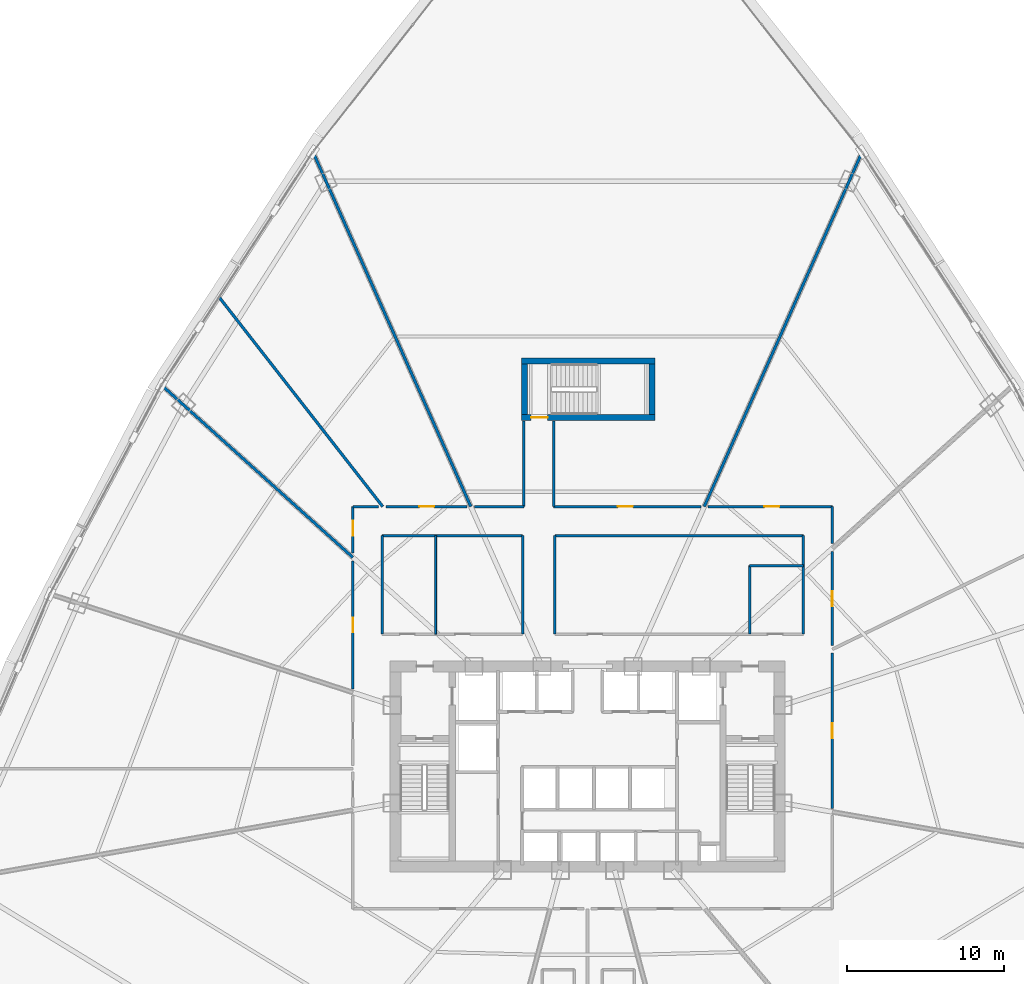
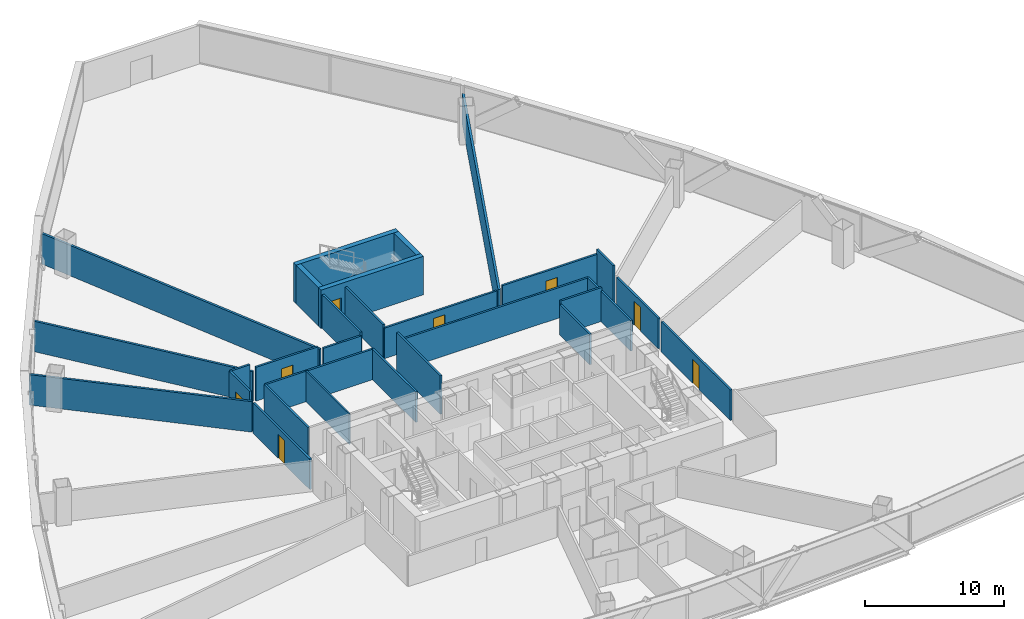
# One storey, part 32 of 38: 29 walls, 8 doors, 8 openings.
"""IFC4 building model written with IfcOpenShell, lengths in metres."""

from ifc_helpers import new_model, si_unit, direction, frame, frame_2d, origin, origin_with_axes, place, context, subcontext, project, spatial, rectangle, extrude, source, transform, mapped, material, layer, layer_set, type_object, element, fill, save


model = new_model("IFC4")

# Units and contexts
model_context = context("Model", 3, precision=1e-05, world=origin(), true_north=direction((0.0, 1.0)))
body_context = subcontext(model_context, "Body", "Model", "MODEL_VIEW")
ifc_project = project(units=[si_unit("LENGTHUNIT", "METRE"), si_unit("AREAUNIT", "SQUARE_METRE"), si_unit("VOLUMEUNIT", "CUBIC_METRE"), si_unit("PLANEANGLEUNIT", "RADIAN"), si_unit("MASSUNIT", "GRAM", prefix="KILO"), si_unit("THERMODYNAMICTEMPERATUREUNIT", "KELVIN"), si_unit("POWERUNIT", "WATT")], contexts=[model_context])

# Site, building, storey
site_placement = place(None, origin())
site = spatial("IfcSite", under=ifc_project, at=site_placement, CompositionType="ELEMENT")
building_placement = place(site_placement, origin())
building = spatial("IfcBuilding", under=site, at=building_placement, Name="Yunzhuo Pagoda Commons", CompositionType="ELEMENT")
storey_placement = place(building_placement, frame((0.0, 0.0, 34.030029296875)))
storey = spatial("IfcBuildingStorey", under=building, at=storey_placement, Name="L08", CompositionType="ELEMENT", Elevation=34.030029296875)

# Walls
ifc_material_1 = material(Name="Gypsum plasterboard on acoustic stud")
ifc_layer_1 = layer(ifc_material_1, 0.159912109375)
ifc_layer_set_1 = layer_set([ifc_layer_1], Name="Gypsum plasterboard on acoustic stud")
wall_type_1 = type_object("IfcWallType", Name="W-COR1 Tower Rated Corridor Wall 160", PredefinedType="PARTITIONING", material=ifc_layer_set_1)
wall_1_placement = place(storey_placement, frame((34.949951171875, 48.5, 0.0), z_axis=(0.0, 0.0, 1.0), x_axis=(1.0, 0.0, 0.0)))
element("IfcWall", 1, at=wall_1_placement, inside=storey, type_object=wall_type_1, Name="L08 interior wall IW-L08-ISLWN", PredefinedType="PARTITIONING", context=body_context, shape_type="SweptSolid", body=[
    extrude(rectangle(XDim=8.929931640625, YDim=0.159912109375, at=frame_2d((4.46484375, 0.0))), origin(), (0.0, 0.0, 1.0), 2.669921875),
])
for number, where, z_axis, x_axis, name in (
    (2, (34.949951171875, 42.25, 0.0), (0.0, 0.0, 1.0), (0.0, 1.0, 0.0), "L08 interior wall IW-L08-ISLWW"),
    (3, (43.8798828125, 42.25, 0.0), (0.0, 0.0, 1.0), (0.0, 1.0, 0.0), "L08 interior wall IW-L08-ISLWE"),
):
    element("IfcWall", number, at=place(storey_placement, frame(where, z_axis=z_axis, x_axis=x_axis)), inside=storey, type_object=wall_type_1, Name=name, PredefinedType="PARTITIONING", context=body_context, shape_type="SweptSolid", body=[
        extrude(rectangle(XDim=6.25, YDim=0.159912109375, at=frame_2d((3.125, 0.0))), origin(), (0.0, 0.0, 1.0), 2.669921875),
    ])
wall_2_placement = place(storey_placement, frame((45.919921875, 48.5, 0.0), z_axis=(0.0, 0.0, 1.0), x_axis=(1.0, 0.0, 0.0)))
element("IfcWall", 4, at=wall_2_placement, inside=storey, type_object=wall_type_1, Name="L08 interior wall IW-L08-ISLEN", PredefinedType="PARTITIONING", context=body_context, shape_type="SweptSolid", body=[
    extrude(rectangle(XDim=15.780029296875, YDim=0.159912109375, at=frame_2d((7.89013671875, 0.0))), origin(), (0.0, 0.0, 1.0), 2.669921875),
])
wall_3_placement = place(storey_placement, frame((45.919921875, 42.25, 0.0), z_axis=(0.0, 0.0, 1.0), x_axis=(0.0, 1.0, 0.0)))
element("IfcWall", 5, at=wall_3_placement, inside=storey, type_object=wall_type_1, Name="L08 interior wall IW-L08-ISLEW", PredefinedType="PARTITIONING", context=body_context, shape_type="SweptSolid", body=[
    extrude(rectangle(XDim=6.25, YDim=0.159912109375, at=frame_2d((3.125, 0.0))), origin(), (0.0, 0.0, 1.0), 3.369873046875),
])
wall_4_placement = place(storey_placement, frame((61.699951171875, 42.25, 0.0), z_axis=(0.0, 0.0, 1.0), x_axis=(0.0, 1.0, 0.0)))
element("IfcWall", 6, at=wall_4_placement, inside=storey, type_object=wall_type_1, Name="L08 interior wall IW-L08-ISLEE", PredefinedType="PARTITIONING", context=body_context, shape_type="SweptSolid", body=[
    extrude(rectangle(XDim=6.25, YDim=0.159912109375, at=frame_2d((3.125, 0.0))), origin(), (0.0, 0.0, 1.0), 2.669921875),
])
wall_5_placement = place(storey_placement, frame((58.300048828125, 42.25, 0.0), z_axis=(0.0, 0.0, 1.0), x_axis=(0.0, 1.0, 0.0)))
element("IfcWall", 7, at=wall_5_placement, inside=storey, type_object=wall_type_1, Name="L08 interior wall IW-L08-ISL2W", PredefinedType="PARTITIONING", context=body_context, shape_type="SweptSolid", body=[
    extrude(rectangle(XDim=4.35009765625, YDim=0.159912109375, at=frame_2d((2.175048828125, 0.0))), origin(), (0.0, 0.0, 1.0), 2.669921875),
])
wall_6_placement = place(storey_placement, frame((58.300048828125, 46.60009765625, 0.0), z_axis=(0.0, 0.0, 1.0), x_axis=(1.0, 0.0, 0.0)))
element("IfcWall", 8, at=wall_6_placement, inside=storey, type_object=wall_type_1, Name="L08 interior wall IW-L08-ISL2N", PredefinedType="PARTITIONING", context=body_context, shape_type="SweptSolid", body=[
    extrude(rectangle(XDim=3.39990234375, YDim=0.159912109375, at=frame_2d((1.699951171875, 0.0))), origin(), (0.0, 0.0, 1.0), 2.969970703125),
])

# Wall, opening, door
wall_7_placement = place(storey_placement, frame((33.10009765625, 38.772705078125, 0.0), z_axis=(0.0, 0.0, 1.0), x_axis=(0.0, 1.0, 0.0)))
wall_7 = element("IfcWall", 9, at=wall_7_placement, inside=storey, type_object=wall_type_1, Name="L08 interior wall IW-L08-CWL04", PredefinedType="PARTITIONING", context=body_context, shape_type="SweptSolid", body=[
    extrude(rectangle(XDim=8.12353515625, YDim=0.159912109375, at=frame_2d((4.061767578125, 0.0))), origin(), (0.0, 0.0, 1.0), 2.669921875),
])
opening_1_placement = place(wall_7_placement, frame((3.5810546875, 0.0, 0.0)))
opening_1 = element("IfcOpeningElement", 10, at=opening_1_placement, cuts=wall_7, Name="Opening D-06", PredefinedType="OPENING", context=body_context, shape_type="SweptSolid", body=[
    extrude(rectangle(XDim=0.949951171875, YDim=2.10009765625, at=frame_2d((0.47509765625, 1.050048828125))), frame((0.0, 0.08984375, 0.0), z_axis=(0.0, -1.0, 0.0), x_axis=(1.0, 0.0, 0.0)), (0.0, 0.0, 1.0), 0.179931640625),
])
ifc_material_2 = material(Name="Galvanized fire-resisting metal leaf")
door_type_1 = type_object("IfcDoorType", Name="D-06 Co-Living Suite Entrance Fire Door 950x2100", OperationType="NOTDEFINED", PredefinedType="DOOR", material=ifc_material_2)
shared_shape_1 = source(origin(), body_context, "Body", "SweptSolid", [
    extrude(rectangle(XDim=0.949951171875, YDim=2.10009765625, at=frame_2d((0.47509765625, 1.050048828125))), frame((0.0, 0.02490234375, 0.0), z_axis=(0.0, -1.0, 0.0), x_axis=(1.0, 0.0, 0.0)), (0.0, 0.0, 1.0), 0.050048828125),
])
door_1_placement = place(opening_1_placement, origin_with_axes())
door_1 = element("IfcDoor", 11, at=door_1_placement, inside=storey, type_object=door_type_1, Name="L08 unit 07 entrance door", OperationType="SINGLE_SWING_LEFT", OverallHeight=2.10009765625, OverallWidth=0.949951171875, PredefinedType="DOOR", context=body_context, shape_type="MappedRepresentation", body=[
    mapped(shared_shape_1, transform((0.0, 0.0, 0.0), scale=1.0)),
])
fill(opening_1, door_1)

wall_8_placement = place(storey_placement, frame((33.10009765625, 47.412109375, 0.0), z_axis=(0.0, 0.0, 1.0), x_axis=(0.0, 1.0, 0.0)))
wall_8 = element("IfcWall", 12, at=wall_8_placement, inside=storey, type_object=wall_type_1, Name="L08 interior wall IW-L08-CWL05", PredefinedType="PARTITIONING", context=body_context, shape_type="SweptSolid", body=[
    extrude(rectangle(XDim=2.93798828125, YDim=0.159912109375, at=frame_2d((1.468994140625, 0.0))), origin(), (0.0, 0.0, 1.0), 3.369873046875),
])
opening_2_placement = place(wall_8_placement, frame((1.075927734375, 0.0, 0.0)))
opening_2 = element("IfcOpeningElement", 13, at=opening_2_placement, cuts=wall_8, Name="Opening D-06", PredefinedType="OPENING", context=body_context, shape_type="SweptSolid", body=[
    extrude(rectangle(XDim=0.949951171875, YDim=2.10009765625, at=frame_2d((0.47509765625, 1.050048828125))), frame((0.0, 0.08984375, 0.0), z_axis=(0.0, -1.0, 0.0), x_axis=(1.0, 0.0, 0.0)), (0.0, 0.0, 1.0), 0.179931640625),
])
door_2_placement = place(opening_2_placement, origin_with_axes())
door_2 = element("IfcDoor", 14, at=door_2_placement, inside=storey, type_object=door_type_1, Name="L08 unit 06 entrance door", OperationType="SINGLE_SWING_RIGHT", OverallHeight=2.10009765625, OverallWidth=0.949951171875, PredefinedType="DOOR", context=body_context, shape_type="MappedRepresentation", body=[
    mapped(shared_shape_1, transform((0.0, 0.0, 0.0), scale=1.0)),
])
fill(opening_2, door_2)

# Wall
wall_9_placement = place(storey_placement, frame((33.10009765625, 50.35009765625, 0.0), z_axis=(0.0, 0.0, 1.0), x_axis=(1.0, 0.0, 0.0)))
element("IfcWall", 15, at=wall_9_placement, inside=storey, type_object=wall_type_1, Name="L08 interior wall IW-L08-CWL06", PredefinedType="PARTITIONING", context=body_context, shape_type="SweptSolid", body=[
    extrude(rectangle(XDim=1.6123046875, YDim=0.159912109375, at=frame_2d((0.80615234375, 0.0))), origin(), (0.0, 0.0, 1.0), 3.369873046875),
])

# Wall, opening, door
wall_10_placement = place(storey_placement, frame((35.21142578125, 50.35009765625, 0.0), z_axis=(0.0, 0.0, 1.0), x_axis=(1.0, 0.0, 0.0)))
wall_10 = element("IfcWall", 16, at=wall_10_placement, inside=storey, type_object=wall_type_1, Name="L08 interior wall IW-L08-CWL07", PredefinedType="PARTITIONING", context=body_context, shape_type="SweptSolid", body=[
    extrude(rectangle(XDim=5.134765625, YDim=0.159912109375, at=frame_2d((2.5673828125, 0.0))), origin(), (0.0, 0.0, 1.0), 2.969970703125),
])
opening_3_placement = place(wall_10_placement, frame((2.102783203125, 0.0, 0.0)))
opening_3 = element("IfcOpeningElement", 17, at=opening_3_placement, cuts=wall_10, Name="Opening D-06", PredefinedType="OPENING", context=body_context, shape_type="SweptSolid", body=[
    extrude(rectangle(XDim=0.949951171875, YDim=2.10009765625, at=frame_2d((0.47509765625, 1.050048828125))), frame((0.0, 0.08984375, 0.0), z_axis=(0.0, -1.0, 0.0), x_axis=(1.0, 0.0, 0.0)), (0.0, 0.0, 1.0), 0.179931640625),
])
door_3_placement = place(opening_3_placement, origin_with_axes())
door_3 = element("IfcDoor", 18, at=door_3_placement, inside=storey, type_object=door_type_1, Name="L08 unit 05 entrance door", OperationType="SINGLE_SWING_LEFT", OverallHeight=2.10009765625, OverallWidth=0.949951171875, PredefinedType="DOOR", context=body_context, shape_type="MappedRepresentation", body=[
    mapped(shared_shape_1, transform((0.0, 0.0, 0.0), scale=1.0)),
])
fill(opening_3, door_3)

# Walls
wall_11_placement = place(storey_placement, frame((40.806640625, 50.35009765625, 0.0), z_axis=(0.0, 0.0, 1.0), x_axis=(1.0, 0.0, 0.0)))
element("IfcWall", 19, at=wall_11_placement, inside=storey, type_object=wall_type_1, Name="L08 interior wall IW-L08-CWL08", PredefinedType="PARTITIONING", context=body_context, shape_type="SweptSolid", body=[
    extrude(rectangle(XDim=3.143310546875, YDim=0.159912109375, at=frame_2d((1.57177734375, 0.0))), origin(), (0.0, 0.0, 1.0), 2.669921875),
])
for number, where, z_axis, x_axis, name in (
    (20, (43.949951171875, 50.35009765625, 0.0), (0.0, 0.0, 1.0), (0.0, 1.0, 0.0), "L08 interior wall IW-L08-CWL09"),
    (21, (45.85009765625, 55.780029296875, 0.0), (0.0, 0.0, 1.0), (0.0, -1.0, 0.0), "L08 interior wall IW-L08-CWL10"),
):
    element("IfcWall", number, at=place(storey_placement, frame(where, z_axis=z_axis, x_axis=x_axis)), inside=storey, type_object=wall_type_1, Name=name, PredefinedType="PARTITIONING", context=body_context, shape_type="SweptSolid", body=[
        extrude(rectangle(XDim=5.429931640625, YDim=0.159912109375, at=frame_2d((2.71484375, 0.0))), origin(), (0.0, 0.0, 1.0), 2.969970703125),
    ])

# Wall, opening, door
wall_12_placement = place(storey_placement, frame((45.85009765625, 50.35009765625, 0.0), z_axis=(0.0, 0.0, 1.0), x_axis=(1.0, 0.0, 0.0)))
wall_12 = element("IfcWall", 22, at=wall_12_placement, inside=storey, type_object=wall_type_1, Name="L08 interior wall IW-L08-CWL11", PredefinedType="PARTITIONING", context=body_context, shape_type="SweptSolid", body=[
    extrude(rectangle(XDim=9.34326171875, YDim=0.159912109375, at=frame_2d((4.671630859375, 0.0))), origin(), (0.0, 0.0, 1.0), 2.669921875),
])
opening_4_placement = place(wall_12_placement, frame((4.076416015625, 0.0, 0.0)))
opening_4 = element("IfcOpeningElement", 23, at=opening_4_placement, cuts=wall_12, Name="Opening D-06", PredefinedType="OPENING", context=body_context, shape_type="SweptSolid", body=[
    extrude(rectangle(XDim=0.949951171875, YDim=2.10009765625, at=frame_2d((0.47509765625, 1.050048828125))), frame((0.0, 0.08984375, 0.0), z_axis=(0.0, -1.0, 0.0), x_axis=(1.0, 0.0, 0.0)), (0.0, 0.0, 1.0), 0.179931640625),
])
door_4_placement = place(opening_4_placement, origin_with_axes())
door_4 = element("IfcDoor", 24, at=door_4_placement, inside=storey, type_object=door_type_1, Name="L08 unit 04 entrance door", OperationType="SINGLE_SWING_RIGHT", OverallHeight=2.10009765625, OverallWidth=0.949951171875, PredefinedType="DOOR", context=body_context, shape_type="MappedRepresentation", body=[
    mapped(shared_shape_1, transform((0.0, 0.0, 0.0), scale=1.0)),
])
fill(opening_4, door_4)

wall_13_placement = place(storey_placement, frame((55.65380859375, 50.35009765625, 0.0), z_axis=(0.0, 0.0, 1.0), x_axis=(1.0, 0.0, 0.0)))
wall_13 = element("IfcWall", 25, at=wall_13_placement, inside=storey, type_object=wall_type_1, Name="L08 interior wall IW-L08-CWL12", PredefinedType="PARTITIONING", context=body_context, shape_type="SweptSolid", body=[
    extrude(rectangle(XDim=7.896240234375, YDim=0.159912109375, at=frame_2d((3.9482421875, 0.0))), origin(), (0.0, 0.0, 1.0), 2.969970703125),
])
opening_5_placement = place(wall_13_placement, frame((3.582763671875, 0.0, 0.0)))
opening_5 = element("IfcOpeningElement", 26, at=opening_5_placement, cuts=wall_13, Name="Opening D-06", PredefinedType="OPENING", context=body_context, shape_type="SweptSolid", body=[
    extrude(rectangle(XDim=0.949951171875, YDim=2.10009765625, at=frame_2d((0.47509765625, 1.050048828125))), frame((0.0, 0.08984375, 0.0), z_axis=(0.0, -1.0, 0.0), x_axis=(1.0, 0.0, 0.0)), (0.0, 0.0, 1.0), 0.179931640625),
])
door_5_placement = place(opening_5_placement, origin_with_axes())
door_5 = element("IfcDoor", 27, at=door_5_placement, inside=storey, type_object=door_type_1, Name="L08 unit 03 entrance door", OperationType="SINGLE_SWING_LEFT", OverallHeight=2.10009765625, OverallWidth=0.949951171875, PredefinedType="DOOR", context=body_context, shape_type="MappedRepresentation", body=[
    mapped(shared_shape_1, transform((0.0, 0.0, 0.0), scale=1.0)),
])
fill(opening_5, door_5)

# Wall
wall_14_placement = place(storey_placement, frame((63.550048828125, 50.35009765625, 0.0), z_axis=(0.0, 0.0, 1.0), x_axis=(0.0, -1.0, 0.0)))
element("IfcWall", 28, at=wall_14_placement, inside=storey, type_object=wall_type_1, Name="L08 interior wall IW-L08-CWL13", PredefinedType="PARTITIONING", context=body_context, shape_type="SweptSolid", body=[
    extrude(rectangle(XDim=2.352783203125, YDim=0.159912109375, at=frame_2d((1.17626953125, 0.0))), origin(), (0.0, 0.0, 1.0), 3.369873046875),
])

# Wall, opening, door
wall_15_placement = place(storey_placement, frame((63.550048828125, 47.481689453125, 0.0), z_axis=(0.0, 0.0, 1.0), x_axis=(0.0, -1.0, 0.0)))
wall_15 = element("IfcWall", 29, at=wall_15_placement, inside=storey, type_object=wall_type_1, Name="L08 interior wall IW-L08-CWL14", PredefinedType="PARTITIONING", context=body_context, shape_type="SweptSolid", body=[
    extrude(rectangle(XDim=5.95263671875, YDim=0.159912109375, at=frame_2d((2.976318359375, 0.0))), origin(), (0.0, 0.0, 1.0), 2.669921875),
])
opening_6_placement = place(wall_15_placement, frame((2.513916015625, 0.0, 0.0)))
opening_6 = element("IfcOpeningElement", 30, at=opening_6_placement, cuts=wall_15, Name="Opening D-06", PredefinedType="OPENING", context=body_context, shape_type="SweptSolid", body=[
    extrude(rectangle(XDim=0.949951171875, YDim=2.10009765625, at=frame_2d((0.47509765625, 1.050048828125))), frame((0.0, 0.08984375, 0.0), z_axis=(0.0, -1.0, 0.0), x_axis=(1.0, 0.0, 0.0)), (0.0, 0.0, 1.0), 0.179931640625),
])
door_6_placement = place(opening_6_placement, origin_with_axes())
door_6 = element("IfcDoor", 31, at=door_6_placement, inside=storey, type_object=door_type_1, Name="L08 unit 02 entrance door", OperationType="SINGLE_SWING_RIGHT", OverallHeight=2.10009765625, OverallWidth=0.949951171875, PredefinedType="DOOR", context=body_context, shape_type="MappedRepresentation", body=[
    mapped(shared_shape_1, transform((0.0, 0.0, 0.0), scale=1.0)),
])
fill(opening_6, door_6)

wall_16_placement = place(storey_placement, frame((63.550048828125, 41.064453125, 0.0), z_axis=(0.0, 0.0, 1.0), x_axis=(0.0, -1.0, 0.0)))
wall_16 = element("IfcWall", 32, at=wall_16_placement, inside=storey, type_object=wall_type_1, Name="L08 interior wall IW-L08-CWL15", PredefinedType="PARTITIONING", context=body_context, shape_type="SweptSolid", body=[
    extrude(rectangle(XDim=9.886474609375, YDim=0.159912109375, at=frame_2d((4.943359375, 0.0))), origin(), (0.0, 0.0, 1.0), 2.669921875),
])
opening_7_placement = place(wall_16_placement, frame((4.46826171875, 0.0, 0.0)))
opening_7 = element("IfcOpeningElement", 33, at=opening_7_placement, cuts=wall_16, Name="Opening D-06", PredefinedType="OPENING", context=body_context, shape_type="SweptSolid", body=[
    extrude(rectangle(XDim=0.949951171875, YDim=2.10009765625, at=frame_2d((0.47509765625, 1.050048828125))), frame((0.0, 0.08984375, 0.0), z_axis=(0.0, -1.0, 0.0), x_axis=(1.0, 0.0, 0.0)), (0.0, 0.0, 1.0), 0.179931640625),
])
door_7_placement = place(opening_7_placement, origin_with_axes())
door_7 = element("IfcDoor", 34, at=door_7_placement, inside=storey, type_object=door_type_1, Name="L08 Shared Resident Kitchen and Pantry door", OperationType="SINGLE_SWING_LEFT", OverallHeight=2.10009765625, OverallWidth=0.949951171875, PredefinedType="DOOR", context=body_context, shape_type="MappedRepresentation", body=[
    mapped(shared_shape_1, transform((0.0, 0.0, 0.0), scale=1.0)),
])
fill(opening_7, door_7)

# Walls
ifc_layer_2 = layer(ifc_material_1, 0.1201171875)
ifc_layer_set_2 = layer_set([ifc_layer_2], Name="Gypsum plasterboard on acoustic stud")
wall_type_2 = type_object("IfcWallType", Name="W-PRT1 Suite & Bathroom Partition 120", PredefinedType="PARTITIONING", material=ifc_layer_set_2)
wall_17_placement = place(storey_placement, frame((38.35009765625, 42.25, 0.0), z_axis=(0.0, 0.0, 1.0), x_axis=(0.0, 1.0, 0.0)))
element("IfcWall", 35, at=wall_17_placement, inside=storey, type_object=wall_type_2, Name="L08 interior wall IW-L08-ISLW1", PredefinedType="PARTITIONING", context=body_context, shape_type="SweptSolid", body=[
    extrude(rectangle(XDim=6.25, YDim=0.1201171875, at=frame_2d((3.125, 0.0))), origin(), (0.0, 0.0, 1.0), 2.669921875),
])
ifc_layer_3 = layer(ifc_material_1, 0.179931640625)
ifc_layer_set_3 = layer_set([ifc_layer_3], Name="Gypsum plasterboard on acoustic stud")
wall_type_3 = type_object("IfcWallType", Name="W-PRT2 Acoustic Unit Demising Wall 180", PredefinedType="PARTITIONING", material=ifc_layer_set_3)
for number, where, z_axis, x_axis, name in (
    (36, (55.4130859375, 50.35009765625, 0.0), (0.0, 0.0, 1.0), (0.406741199867, 0.913543428815, 0.0), "L08 interior wall IW-L08-RAD03"),
    (37, (40.5869140625, 50.35009765625, 0.0), (0.0, 0.0, 1.0), (-0.406741199867, 0.913543428815, 0.0), "L08 interior wall IW-L08-RAD04"),
):
    element("IfcWall", number, at=place(storey_placement, frame(where, z_axis=z_axis, x_axis=x_axis)), inside=storey, type_object=wall_type_3, Name=name, PredefinedType="PARTITIONING", context=body_context, shape_type="SweptSolid", body=[
        extrude(rectangle(XDim=24.650390625, YDim=0.179931640625, at=frame_2d((12.3251953125, 0.0))), origin(), (0.0, 0.0, 1.0), 2.669921875),
    ])
wall_18_placement = place(storey_placement, frame((34.99169921875, 50.35009765625, 0.0), z_axis=(0.0, 0.0, 1.0), x_axis=(-0.615670109541, 0.788004007742, 0.0)))
element("IfcWall", 38, at=wall_18_placement, inside=storey, type_object=wall_type_3, Name="L08 interior wall IW-L08-RAD05", PredefinedType="PARTITIONING", context=body_context, shape_type="SweptSolid", body=[
    extrude(rectangle(XDim=16.90234375, YDim=0.179931640625, at=frame_2d((8.451171875, 0.0))), origin(), (0.0, 0.0, 1.0), 2.669921875),
])
wall_19_placement = place(storey_placement, frame((33.10009765625, 47.115966796875, 0.0), z_axis=(0.0, 0.0, 1.0), x_axis=(-0.74314347906, 0.669132101704, 0.0)))
element("IfcWall", 39, at=wall_19_placement, inside=storey, type_object=wall_type_3, Name="L08 interior wall IW-L08-RAD06", PredefinedType="PARTITIONING", context=body_context, shape_type="SweptSolid", body=[
    extrude(rectangle(XDim=16.358154296875, YDim=0.179931640625, at=frame_2d((8.17919921875, 0.0))), origin(), (0.0, 0.0, 1.0), 2.669921875),
])
ifc_material_3 = material(Name="Concrete C60", Category="concrete")
ifc_layer_4 = layer(ifc_material_3, 0.39990234375)
ifc_layer_set_4 = layer_set([ifc_layer_4], Name="Concrete C60")
wall_type_4 = type_object("IfcWallType", Name="W-S01 Internal Core Shear Web 400", PredefinedType="SHEAR", material=ifc_layer_set_4)
wall_20_placement = place(storey_placement, frame((43.800048828125, 59.60009765625, 0.0), z_axis=(0.0, 0.0, 1.0), x_axis=(1.0, 0.0, 0.0)))
element("IfcWall", 40, at=wall_20_placement, inside=storey, type_object=wall_type_4, Name="L08 ST3 structural stair wall N", PredefinedType="SHEAR", context=body_context, shape_type="SweptSolid", body=[
    extrude(rectangle(XDim=8.5, YDim=0.39990234375, at=frame_2d((4.25, 0.0))), origin(), (0.0, 0.0, 1.0), 3.369873046875),
])

# Wall, opening, door
wall_21_placement = place(storey_placement, frame((43.800048828125, 56.0, 0.0), z_axis=(0.0, 0.0, 1.0), x_axis=(1.0, 0.0, 0.0)))
wall_21 = element("IfcWall", 41, at=wall_21_placement, inside=storey, type_object=wall_type_4, Name="L08 ST3 structural stair wall S", PredefinedType="SHEAR", context=body_context, shape_type="SweptSolid", body=[
    extrude(rectangle(XDim=8.5, YDim=0.39990234375, at=frame_2d((4.25, 0.0))), origin(), (0.0, 0.0, 1.0), 3.369873046875),
])
opening_8_placement = place(wall_21_placement, frame((0.6201171875, 0.0, 0.0)))
opening_8 = element("IfcOpeningElement", 42, at=opening_8_placement, cuts=wall_21, Name="Opening D-01", PredefinedType="OPENING", context=body_context, shape_type="SweptSolid", body=[
    extrude(rectangle(XDim=1.050048828125, YDim=2.10009765625, at=frame_2d((0.52490234375, 1.050048828125))), frame((0.0, 0.2099609375, 0.0), z_axis=(0.0, -1.0, 0.0), x_axis=(1.0, 0.0, 0.0)), (0.0, 0.0, 1.0), 0.419921875),
])
door_type_2 = type_object("IfcDoorType", Name="D-01 Smokeproof Stair Fire Door 1050x2100", OperationType="NOTDEFINED", PredefinedType="DOOR", material=ifc_material_2)
shared_shape_2 = source(origin(), body_context, "Body", "SweptSolid", [
    extrude(rectangle(XDim=1.050048828125, YDim=2.10009765625, at=frame_2d((0.52490234375, 1.050048828125))), frame((0.0, 0.02490234375, 0.0), z_axis=(0.0, -1.0, 0.0), x_axis=(1.0, 0.0, 0.0)), (0.0, 0.0, 1.0), 0.050048828125),
])
door_8_placement = place(opening_8_placement, frame((1.050048828125, 0.0, 0.0), z_axis=(0.0, 0.0, 1.0), x_axis=(-1.0, 0.0, 0.0)))
door_8 = element("IfcDoor", 43, at=door_8_placement, inside=storey, type_object=door_type_2, Name="L08 Stair ST3 fire door", OperationType="SINGLE_SWING_LEFT", OverallHeight=2.10009765625, OverallWidth=1.050048828125, PredefinedType="DOOR", context=body_context, shape_type="MappedRepresentation", body=[
    mapped(shared_shape_2, transform((0.0, 0.0, 0.0), scale=1.0)),
])
fill(opening_8, door_8)

# Walls
for number, where, z_axis, x_axis, name in (
    (44, (44.0, 56.199951171875, 0.0), (0.0, 0.0, 1.0), (0.0, 1.0, 0.0), "L08 ST3 structural stair wall W"),
    (45, (52.10009765625, 56.199951171875, 0.0), (0.0, 0.0, 1.0), (0.0, 1.0, 0.0), "L08 ST3 structural stair wall E"),
):
    element("IfcWall", number, at=place(storey_placement, frame(where, z_axis=z_axis, x_axis=x_axis)), inside=storey, type_object=wall_type_4, Name=name, PredefinedType="SHEAR", context=body_context, shape_type="SweptSolid", body=[
        extrude(rectangle(XDim=3.199951171875, YDim=0.39990234375, at=frame_2d((1.60009765625, 0.0))), origin(), (0.0, 0.0, 1.0), 3.369873046875),
    ])

save(model, "model.ifc")
